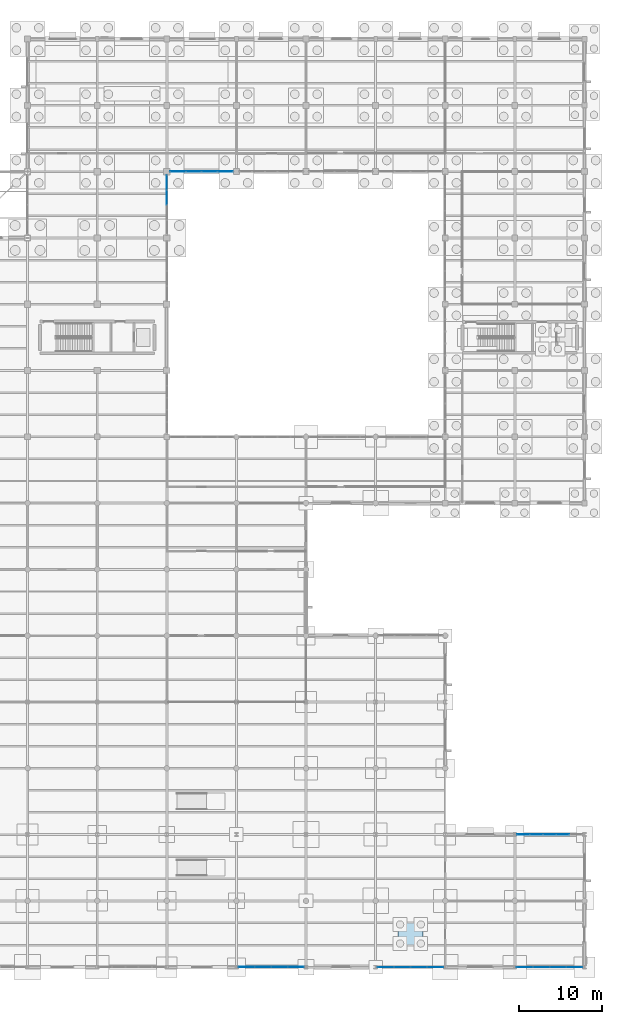
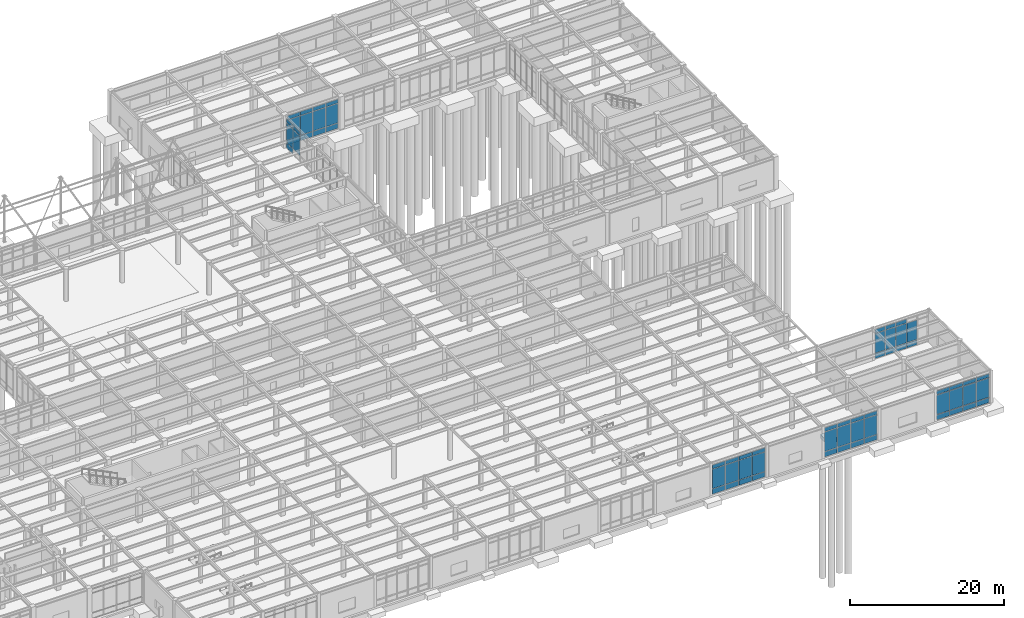
# One storey, part 71 of 138: 64 plates, 1 slab, 6 elements without a shape of their own.
"""IFC4 building model written with IfcOpenShell, lengths in metres."""

from ifc_helpers import new_model, si_unit, direction, frame, origin, origin_2d, place, context, subcontext, project, spatial, polyline, rectangle, outline, extrude, material, layer, layer_set, type_object, element, aggregate, save


model = new_model("IFC4")

# Units and contexts
model_context = context("Model", 3, precision=1e-05, world=origin(), true_north=direction((0.0, 1.0)))
body_context = subcontext(model_context, "Body", "Model", "MODEL_VIEW")
ifc_project = project(units=[si_unit("LENGTHUNIT", "METRE"), si_unit("AREAUNIT", "SQUARE_METRE"), si_unit("VOLUMEUNIT", "CUBIC_METRE"), si_unit("PLANEANGLEUNIT", "RADIAN"), si_unit("MASSUNIT", "GRAM", prefix="KILO")], contexts=[model_context])

# Site, building, storey
site_placement = place(None, origin())
site = spatial("IfcSite", under=ifc_project, at=site_placement, CompositionType="ELEMENT")
building_placement = place(site_placement, origin())
building = spatial("IfcBuilding", under=site, at=building_placement, Name="Kranzveld Transit Interchange", CompositionType="ELEMENT")
storey_placement = place(building_placement, origin())
storey = spatial("IfcBuildingStorey", under=building, at=storey_placement, Name="L00", CompositionType="ELEMENT", Elevation=0.0)

# Curtain wall, plates
ifc_material_1 = material(Name="Bronze-anodised thermally broken aluminium", Category="aluminium")
ifc_layer_1 = layer(ifc_material_1, 0.159912109375)
ifc_layer_set_1 = layer_set([ifc_layer_1], Name="Bronze-anodised thermally broken aluminium")
curtain_wall_type_1 = type_object("IfcCurtainWallType", Name="Bus Boarding Glazed Screen CW-3", PredefinedType="USERDEFINED", material=ifc_layer_set_1)
curtain_wall_1_placement = place(storey_placement, origin())
curtain_wall_1 = element("IfcCurtainWall", 1, at=curtain_wall_1_placement, inside=storey, type_object=curtain_wall_type_1, Name="L00 Curtain Wall 20/A-21/A", ObjectType="CURTAIN WALL", PredefinedType="USERDEFINED")
ifc_material_2 = material(Name="Solar-control double glazing", Category="glass")
ifc_layer_2 = layer(ifc_material_2, 0.031982421875)
ifc_layer_set_2 = layer_set([ifc_layer_2], Name="Solar-control double glazing")
plate_type_1 = type_object("IfcPlateType", Name="Curtain Panel Acoustic Glazing 32", PredefinedType="CURTAIN_PANEL", material=ifc_layer_set_2)
plate_1_placement = place(storey_placement, frame((160.814697265625, 0.0, 0.06005859375), z_axis=(0.0, 0.0, 1.0), x_axis=(1.0, 0.0, 0.0)))
plate_1 = element("IfcPlate", 2, at=plate_1_placement, type_object=plate_type_1, Name="CW-3 panel 1.1", PredefinedType="CURTAIN_PANEL", context=body_context, shape_type="SweptSolid", body=[
    extrude(rectangle(XDim=1.91015625, YDim=0.031982421875, at=origin_2d()), origin(), (0.0, 0.0, 1.0), 0.81005859375),
])
plate_2_placement = place(storey_placement, frame((160.814697265625, 0.0, 0.929931640625), z_axis=(0.0, 0.0, 1.0), x_axis=(1.0, 0.0, 0.0)))
plate_2 = element("IfcPlate", 3, at=plate_2_placement, type_object=plate_type_1, Name="CW-3 panel 1.2", PredefinedType="CURTAIN_PANEL", context=body_context, shape_type="SweptSolid", body=[
    extrude(rectangle(XDim=1.91015625, YDim=0.031982421875, at=origin_2d()), origin(), (0.0, 0.0, 1.0), 3.08056640625),
])
plate_3_placement = place(storey_placement, frame((160.814697265625, 0.0, 4.0703125), z_axis=(0.0, 0.0, 1.0), x_axis=(1.0, 0.0, 0.0)))
plate_3 = element("IfcPlate", 4, at=plate_3_placement, type_object=plate_type_1, Name="CW-3 panel 1.3", PredefinedType="CURTAIN_PANEL", context=body_context, shape_type="SweptSolid", body=[
    extrude(rectangle(XDim=1.91015625, YDim=0.031982421875, at=origin_2d()), origin(), (0.0, 0.0, 1.0), 0.610107421875),
])
plate_4_placement = place(storey_placement, frame((162.7998046875, 0.0, 0.06005859375), z_axis=(0.0, 0.0, 1.0), x_axis=(1.0, 0.0, 0.0)))
plate_4 = element("IfcPlate", 5, at=plate_4_placement, type_object=plate_type_1, Name="CW-3 panel 2.1", PredefinedType="CURTAIN_PANEL", context=body_context, shape_type="SweptSolid", body=[
    extrude(rectangle(XDim=1.940185546875, YDim=0.031982421875, at=origin_2d()), origin(), (0.0, 0.0, 1.0), 0.81005859375),
])
plate_5_placement = place(storey_placement, frame((162.7998046875, 0.0, 0.929931640625), z_axis=(0.0, 0.0, 1.0), x_axis=(1.0, 0.0, 0.0)))
plate_5 = element("IfcPlate", 6, at=plate_5_placement, type_object=plate_type_1, Name="CW-3 panel 2.2", PredefinedType="CURTAIN_PANEL", context=body_context, shape_type="SweptSolid", body=[
    extrude(rectangle(XDim=1.940185546875, YDim=0.031982421875, at=origin_2d()), origin(), (0.0, 0.0, 1.0), 3.08056640625),
])
plate_6_placement = place(storey_placement, frame((162.7998046875, 0.0, 4.0703125), z_axis=(0.0, 0.0, 1.0), x_axis=(1.0, 0.0, 0.0)))
plate_6 = element("IfcPlate", 7, at=plate_6_placement, type_object=plate_type_1, Name="CW-3 panel 2.3", PredefinedType="CURTAIN_PANEL", context=body_context, shape_type="SweptSolid", body=[
    extrude(rectangle(XDim=1.940185546875, YDim=0.031982421875, at=origin_2d()), origin(), (0.0, 0.0, 1.0), 0.610107421875),
])
plate_7_placement = place(storey_placement, frame((164.800048828125, 0.0, 0.06005859375), z_axis=(0.0, 0.0, 1.0), x_axis=(1.0, 0.0, 0.0)))
plate_7 = element("IfcPlate", 8, at=plate_7_placement, type_object=plate_type_1, Name="CW-3 panel 3.1", PredefinedType="CURTAIN_PANEL", context=body_context, shape_type="SweptSolid", body=[
    extrude(rectangle(XDim=1.940185546875, YDim=0.031982421875, at=origin_2d()), origin(), (0.0, 0.0, 1.0), 0.81005859375),
])
plate_8_placement = place(storey_placement, frame((164.800048828125, 0.0, 0.929931640625), z_axis=(0.0, 0.0, 1.0), x_axis=(1.0, 0.0, 0.0)))
plate_8 = element("IfcPlate", 9, at=plate_8_placement, type_object=plate_type_1, Name="CW-3 panel 3.2", PredefinedType="CURTAIN_PANEL", context=body_context, shape_type="SweptSolid", body=[
    extrude(rectangle(XDim=1.940185546875, YDim=0.031982421875, at=origin_2d()), origin(), (0.0, 0.0, 1.0), 3.08056640625),
])
plate_9_placement = place(storey_placement, frame((164.800048828125, 0.0, 4.0703125), z_axis=(0.0, 0.0, 1.0), x_axis=(1.0, 0.0, 0.0)))
plate_9 = element("IfcPlate", 10, at=plate_9_placement, type_object=plate_type_1, Name="CW-3 panel 3.3", PredefinedType="CURTAIN_PANEL", context=body_context, shape_type="SweptSolid", body=[
    extrude(rectangle(XDim=1.940185546875, YDim=0.031982421875, at=origin_2d()), origin(), (0.0, 0.0, 1.0), 0.610107421875),
])
plate_10_placement = place(storey_placement, frame((166.785400390625, 0.0, 0.06005859375), z_axis=(0.0, 0.0, 1.0), x_axis=(1.0, 0.0, 0.0)))
plate_10 = element("IfcPlate", 11, at=plate_10_placement, type_object=plate_type_1, Name="CW-3 panel 4.1", PredefinedType="CURTAIN_PANEL", context=body_context, shape_type="SweptSolid", body=[
    extrude(rectangle(XDim=1.91015625, YDim=0.031982421875, at=origin_2d()), origin(), (0.0, 0.0, 1.0), 0.81005859375),
])
plate_11_placement = place(storey_placement, frame((166.785400390625, 0.0, 0.929931640625), z_axis=(0.0, 0.0, 1.0), x_axis=(1.0, 0.0, 0.0)))
plate_11 = element("IfcPlate", 12, at=plate_11_placement, type_object=plate_type_1, Name="CW-3 panel 4.2", PredefinedType="CURTAIN_PANEL", context=body_context, shape_type="SweptSolid", body=[
    extrude(rectangle(XDim=1.91015625, YDim=0.031982421875, at=origin_2d()), origin(), (0.0, 0.0, 1.0), 3.08056640625),
])
plate_12_placement = place(storey_placement, frame((166.785400390625, 0.0, 4.0703125), z_axis=(0.0, 0.0, 1.0), x_axis=(1.0, 0.0, 0.0)))
plate_12 = element("IfcPlate", 13, at=plate_12_placement, type_object=plate_type_1, Name="CW-3 panel 4.3", PredefinedType="CURTAIN_PANEL", context=body_context, shape_type="SweptSolid", body=[
    extrude(rectangle(XDim=1.91015625, YDim=0.031982421875, at=origin_2d()), origin(), (0.0, 0.0, 1.0), 0.610107421875),
])
aggregate(curtain_wall_1, [plate_1, plate_2, plate_3, plate_4, plate_5, plate_6, plate_7, plate_8, plate_9, plate_10, plate_11, plate_12])

ifc_material_3 = material(Name="Bronze-anodised thermally broken aluminium", Category="aluminium")
ifc_layer_3 = layer(ifc_material_3, 0.1650390625)
ifc_layer_set_3 = layer_set([ifc_layer_3], Name="Bronze-anodised thermally broken aluminium")
curtain_wall_type_2 = type_object("IfcCurtainWallType", Name="Sunny Court Arcade Curtain Wall CW-2", PredefinedType="USERDEFINED", material=ifc_layer_set_3)
curtain_wall_2_placement = place(storey_placement, origin())
curtain_wall_2 = element("IfcCurtainWall", 14, at=curtain_wall_2_placement, inside=storey, type_object=curtain_wall_type_2, Name="L00 Curtain Wall 20/C-21/C", ObjectType="CURTAIN WALL", PredefinedType="USERDEFINED")
ifc_material_4 = material(Name="Solar-control double glazing", Category="glass")
ifc_layer_4 = layer(ifc_material_4, 0.02392578125)
ifc_layer_set_4 = layer_set([ifc_layer_4], Name="Solar-control double glazing")
plate_type_2 = type_object("IfcPlateType", Name="Curtain Panel Clear Glazing 24", PredefinedType="CURTAIN_PANEL", material=ifc_layer_set_4)
plate_13_placement = place(storey_placement, frame((160.615966796875, 16.0, 0.06005859375), z_axis=(0.0, 0.0, 1.0), x_axis=(1.0, 0.0, 0.0)))
plate_13 = element("IfcPlate", 15, at=plate_13_placement, type_object=plate_type_2, Name="CW-2 panel 1.1", PredefinedType="CURTAIN_PANEL", context=body_context, shape_type="SweptSolid", body=[
    extrude(rectangle(XDim=1.502685546875, YDim=0.02392578125, at=origin_2d()), origin(), (0.0, 0.0, 1.0), 0.81005859375),
])
plate_14_placement = place(storey_placement, frame((160.615966796875, 16.0, 0.929931640625), z_axis=(0.0, 0.0, 1.0), x_axis=(1.0, 0.0, 0.0)))
plate_14 = element("IfcPlate", 16, at=plate_14_placement, type_object=plate_type_2, Name="CW-2 panel 1.2", PredefinedType="CURTAIN_PANEL", context=body_context, shape_type="SweptSolid", body=[
    extrude(rectangle(XDim=1.502685546875, YDim=0.02392578125, at=origin_2d()), origin(), (0.0, 0.0, 1.0), 3.08056640625),
])
plate_15_placement = place(storey_placement, frame((160.615966796875, 16.0, 4.0703125), z_axis=(0.0, 0.0, 1.0), x_axis=(1.0, 0.0, 0.0)))
plate_15 = element("IfcPlate", 17, at=plate_15_placement, type_object=plate_type_2, Name="CW-2 panel 1.3", PredefinedType="CURTAIN_PANEL", context=body_context, shape_type="SweptSolid", body=[
    extrude(rectangle(XDim=1.502685546875, YDim=0.02392578125, at=origin_2d()), origin(), (0.0, 0.0, 1.0), 0.610107421875),
])
plate_16_placement = place(storey_placement, frame((162.19970703125, 16.0, 0.06005859375), z_axis=(0.0, 0.0, 1.0), x_axis=(1.0, 0.0, 0.0)))
plate_16 = element("IfcPlate", 18, at=plate_16_placement, type_object=plate_type_2, Name="CW-2 panel 2.1", PredefinedType="CURTAIN_PANEL", context=body_context, shape_type="SweptSolid", body=[
    extrude(rectangle(XDim=1.53515625, YDim=0.02392578125, at=origin_2d()), origin(), (0.0, 0.0, 1.0), 0.81005859375),
])
plate_17_placement = place(storey_placement, frame((162.19970703125, 16.0, 0.929931640625), z_axis=(0.0, 0.0, 1.0), x_axis=(1.0, 0.0, 0.0)))
plate_17 = element("IfcPlate", 19, at=plate_17_placement, type_object=plate_type_2, Name="CW-2 panel 2.2", PredefinedType="CURTAIN_PANEL", context=body_context, shape_type="SweptSolid", body=[
    extrude(rectangle(XDim=1.53515625, YDim=0.02392578125, at=origin_2d()), origin(), (0.0, 0.0, 1.0), 3.08056640625),
])
plate_18_placement = place(storey_placement, frame((162.19970703125, 16.0, 4.0703125), z_axis=(0.0, 0.0, 1.0), x_axis=(1.0, 0.0, 0.0)))
plate_18 = element("IfcPlate", 20, at=plate_18_placement, type_object=plate_type_2, Name="CW-2 panel 2.3", PredefinedType="CURTAIN_PANEL", context=body_context, shape_type="SweptSolid", body=[
    extrude(rectangle(XDim=1.53515625, YDim=0.02392578125, at=origin_2d()), origin(), (0.0, 0.0, 1.0), 0.610107421875),
])
plate_19_placement = place(storey_placement, frame((163.800048828125, 16.0, 0.06005859375), z_axis=(0.0, 0.0, 1.0), x_axis=(1.0, 0.0, 0.0)))
plate_19 = element("IfcPlate", 21, at=plate_19_placement, type_object=plate_type_2, Name="CW-2 panel 3.1", PredefinedType="CURTAIN_PANEL", context=body_context, shape_type="SweptSolid", body=[
    extrude(rectangle(XDim=1.53515625, YDim=0.02392578125, at=origin_2d()), origin(), (0.0, 0.0, 1.0), 0.81005859375),
])
plate_20_placement = place(storey_placement, frame((163.800048828125, 16.0, 0.929931640625), z_axis=(0.0, 0.0, 1.0), x_axis=(1.0, 0.0, 0.0)))
plate_20 = element("IfcPlate", 22, at=plate_20_placement, type_object=plate_type_2, Name="CW-2 panel 3.2", PredefinedType="CURTAIN_PANEL", context=body_context, shape_type="SweptSolid", body=[
    extrude(rectangle(XDim=1.53515625, YDim=0.02392578125, at=origin_2d()), origin(), (0.0, 0.0, 1.0), 3.08056640625),
])
plate_21_placement = place(storey_placement, frame((163.800048828125, 16.0, 4.0703125), z_axis=(0.0, 0.0, 1.0), x_axis=(1.0, 0.0, 0.0)))
plate_21 = element("IfcPlate", 23, at=plate_21_placement, type_object=plate_type_2, Name="CW-2 panel 3.3", PredefinedType="CURTAIN_PANEL", context=body_context, shape_type="SweptSolid", body=[
    extrude(rectangle(XDim=1.53515625, YDim=0.02392578125, at=origin_2d()), origin(), (0.0, 0.0, 1.0), 0.610107421875),
])
plate_22_placement = place(storey_placement, frame((165.400146484375, 16.0, 0.06005859375), z_axis=(0.0, 0.0, 1.0), x_axis=(1.0, 0.0, 0.0)))
plate_22 = element("IfcPlate", 24, at=plate_22_placement, type_object=plate_type_2, Name="CW-2 panel 4.1", PredefinedType="CURTAIN_PANEL", context=body_context, shape_type="SweptSolid", body=[
    extrude(rectangle(XDim=1.53515625, YDim=0.02392578125, at=origin_2d()), origin(), (0.0, 0.0, 1.0), 0.81005859375),
])
plate_23_placement = place(storey_placement, frame((165.400146484375, 16.0, 0.929931640625), z_axis=(0.0, 0.0, 1.0), x_axis=(1.0, 0.0, 0.0)))
plate_23 = element("IfcPlate", 25, at=plate_23_placement, type_object=plate_type_2, Name="CW-2 panel 4.2", PredefinedType="CURTAIN_PANEL", context=body_context, shape_type="SweptSolid", body=[
    extrude(rectangle(XDim=1.53515625, YDim=0.02392578125, at=origin_2d()), origin(), (0.0, 0.0, 1.0), 3.08056640625),
])
aggregate(curtain_wall_2, [plate_13, plate_14, plate_15, plate_16, plate_17, plate_18, plate_19, plate_20, plate_21, plate_22, plate_23])

ifc_material_5 = material(Name="Bronze-anodised thermally broken aluminium", Category="aluminium")
ifc_layer_5 = layer(ifc_material_5, 0.179931640625)
ifc_layer_set_5 = layer_set([ifc_layer_5], Name="Bronze-anodised thermally broken aluminium")
curtain_wall_type_3 = type_object("IfcCurtainWallType", Name="Concourse Unitised Curtain Wall CW-1", PredefinedType="USERDEFINED", material=ifc_layer_set_5)
curtain_wall_3_placement = place(storey_placement, origin())
curtain_wall_3 = element("IfcCurtainWall", 26, at=curtain_wall_3_placement, inside=storey, type_object=curtain_wall_type_3, Name="L00 Curtain Wall 18/A-19/A", ObjectType="CURTAIN WALL", PredefinedType="USERDEFINED")
ifc_material_6 = material(Name="Solar-control double glazing", Category="glass")
ifc_layer_6 = layer(ifc_material_6, 0.028076171875)
ifc_layer_set_6 = layer_set([ifc_layer_6], Name="Solar-control double glazing")
plate_type_3 = type_object("IfcPlateType", Name="Curtain Panel Double Glazing 28", PredefinedType="CURTAIN_PANEL", material=ifc_layer_set_6)
plate_24_placement = place(storey_placement, frame((144.015869140625, 0.0, 0.06494140625), z_axis=(0.0, 0.0, 1.0), x_axis=(1.0, 0.0, 0.0)))
plate_24 = element("IfcPlate", 27, at=plate_24_placement, type_object=plate_type_3, Name="CW-1 panel 1.1", PredefinedType="CURTAIN_PANEL", context=body_context, shape_type="SweptSolid", body=[
    extrude(rectangle(XDim=1.90283203125, YDim=0.028076171875, at=origin_2d()), origin(), (0.0, 0.0, 1.0), 0.802490234375),
])
plate_25_placement = place(storey_placement, frame((144.015869140625, 0.0, 0.932373046875), z_axis=(0.0, 0.0, 1.0), x_axis=(1.0, 0.0, 0.0)))
plate_25 = element("IfcPlate", 28, at=plate_25_placement, type_object=plate_type_3, Name="CW-1 panel 1.2", PredefinedType="CURTAIN_PANEL", context=body_context, shape_type="SweptSolid", body=[
    extrude(rectangle(XDim=1.90283203125, YDim=0.028076171875, at=origin_2d()), origin(), (0.0, 0.0, 1.0), 3.07568359375),
])
plate_26_placement = place(storey_placement, frame((144.015869140625, 0.0, 4.072998046875), z_axis=(0.0, 0.0, 1.0), x_axis=(1.0, 0.0, 0.0)))
plate_26 = element("IfcPlate", 29, at=plate_26_placement, type_object=plate_type_3, Name="CW-1 panel 1.3", PredefinedType="CURTAIN_PANEL", context=body_context, shape_type="SweptSolid", body=[
    extrude(rectangle(XDim=1.90283203125, YDim=0.028076171875, at=origin_2d()), origin(), (0.0, 0.0, 1.0), 0.6025390625),
])
plate_27_placement = place(storey_placement, frame((145.999755859375, 0.0, 0.06494140625), z_axis=(0.0, 0.0, 1.0), x_axis=(1.0, 0.0, 0.0)))
plate_27 = element("IfcPlate", 30, at=plate_27_placement, type_object=plate_type_3, Name="CW-1 panel 2.1", PredefinedType="CURTAIN_PANEL", context=body_context, shape_type="SweptSolid", body=[
    extrude(rectangle(XDim=1.935302734375, YDim=0.028076171875, at=origin_2d()), origin(), (0.0, 0.0, 1.0), 0.802490234375),
])
plate_28_placement = place(storey_placement, frame((145.999755859375, 0.0, 0.932373046875), z_axis=(0.0, 0.0, 1.0), x_axis=(1.0, 0.0, 0.0)))
plate_28 = element("IfcPlate", 31, at=plate_28_placement, type_object=plate_type_3, Name="CW-1 panel 2.2", PredefinedType="CURTAIN_PANEL", context=body_context, shape_type="SweptSolid", body=[
    extrude(rectangle(XDim=1.935302734375, YDim=0.028076171875, at=origin_2d()), origin(), (0.0, 0.0, 1.0), 3.07568359375),
])
plate_29_placement = place(storey_placement, frame((145.999755859375, 0.0, 4.072998046875), z_axis=(0.0, 0.0, 1.0), x_axis=(1.0, 0.0, 0.0)))
plate_29 = element("IfcPlate", 32, at=plate_29_placement, type_object=plate_type_3, Name="CW-1 panel 2.3", PredefinedType="CURTAIN_PANEL", context=body_context, shape_type="SweptSolid", body=[
    extrude(rectangle(XDim=1.935302734375, YDim=0.028076171875, at=origin_2d()), origin(), (0.0, 0.0, 1.0), 0.6025390625),
])
plate_30_placement = place(storey_placement, frame((148.000244140625, 0.0, 0.06494140625), z_axis=(0.0, 0.0, 1.0), x_axis=(1.0, 0.0, 0.0)))
plate_30 = element("IfcPlate", 33, at=plate_30_placement, type_object=plate_type_3, Name="CW-1 panel 3.1", PredefinedType="CURTAIN_PANEL", context=body_context, shape_type="SweptSolid", body=[
    extrude(rectangle(XDim=1.935302734375, YDim=0.028076171875, at=origin_2d()), origin(), (0.0, 0.0, 1.0), 0.802490234375),
])
plate_31_placement = place(storey_placement, frame((148.000244140625, 0.0, 0.932373046875), z_axis=(0.0, 0.0, 1.0), x_axis=(1.0, 0.0, 0.0)))
plate_31 = element("IfcPlate", 34, at=plate_31_placement, type_object=plate_type_3, Name="CW-1 panel 3.2", PredefinedType="CURTAIN_PANEL", context=body_context, shape_type="SweptSolid", body=[
    extrude(rectangle(XDim=1.935302734375, YDim=0.028076171875, at=origin_2d()), origin(), (0.0, 0.0, 1.0), 3.07568359375),
])
plate_32_placement = place(storey_placement, frame((148.000244140625, 0.0, 4.072998046875), z_axis=(0.0, 0.0, 1.0), x_axis=(1.0, 0.0, 0.0)))
plate_32 = element("IfcPlate", 35, at=plate_32_placement, type_object=plate_type_3, Name="CW-1 panel 3.3", PredefinedType="CURTAIN_PANEL", context=body_context, shape_type="SweptSolid", body=[
    extrude(rectangle(XDim=1.935302734375, YDim=0.028076171875, at=origin_2d()), origin(), (0.0, 0.0, 1.0), 0.6025390625),
])
plate_33_placement = place(storey_placement, frame((149.984130859375, 0.0, 0.06494140625), z_axis=(0.0, 0.0, 1.0), x_axis=(1.0, 0.0, 0.0)))
plate_33 = element("IfcPlate", 36, at=plate_33_placement, type_object=plate_type_3, Name="CW-1 panel 4.1", PredefinedType="CURTAIN_PANEL", context=body_context, shape_type="SweptSolid", body=[
    extrude(rectangle(XDim=1.90283203125, YDim=0.028076171875, at=origin_2d()), origin(), (0.0, 0.0, 1.0), 0.802490234375),
])
plate_34_placement = place(storey_placement, frame((149.984130859375, 0.0, 0.932373046875), z_axis=(0.0, 0.0, 1.0), x_axis=(1.0, 0.0, 0.0)))
plate_34 = element("IfcPlate", 37, at=plate_34_placement, type_object=plate_type_3, Name="CW-1 panel 4.2", PredefinedType="CURTAIN_PANEL", context=body_context, shape_type="SweptSolid", body=[
    extrude(rectangle(XDim=1.90283203125, YDim=0.028076171875, at=origin_2d()), origin(), (0.0, 0.0, 1.0), 3.07568359375),
])
plate_35_placement = place(storey_placement, frame((149.984130859375, 0.0, 4.072998046875), z_axis=(0.0, 0.0, 1.0), x_axis=(1.0, 0.0, 0.0)))
plate_35 = element("IfcPlate", 38, at=plate_35_placement, type_object=plate_type_3, Name="CW-1 panel 4.3", PredefinedType="CURTAIN_PANEL", context=body_context, shape_type="SweptSolid", body=[
    extrude(rectangle(XDim=1.90283203125, YDim=0.028076171875, at=origin_2d()), origin(), (0.0, 0.0, 1.0), 0.6025390625),
])
aggregate(curtain_wall_3, [plate_24, plate_25, plate_26, plate_27, plate_28, plate_29, plate_30, plate_31, plate_32, plate_33, plate_34, plate_35])

curtain_wall_4_placement = place(storey_placement, origin())
curtain_wall_4 = element("IfcCurtainWall", 39, at=curtain_wall_4_placement, inside=storey, type_object=curtain_wall_type_3, Name="L00 Curtain Wall 15/M-15/N", ObjectType="CURTAIN WALL", PredefinedType="USERDEFINED")
plate_36_placement = place(storey_placement, frame((117.60009765625, 92.90625, 0.932373046875), z_axis=(0.0, 0.0, 1.0), x_axis=(0.0, 1.0, 0.0)))
plate_36 = element("IfcPlate", 40, at=plate_36_placement, type_object=plate_type_3, Name="CW-1 panel 3.2", PredefinedType="CURTAIN_PANEL", context=body_context, shape_type="SweptSolid", body=[
    extrude(rectangle(XDim=1.74755859375, YDim=0.028076171875, at=origin_2d()), origin(), (0.0, 0.0, 1.0), 3.08251953125),
])
plate_37_placement = place(storey_placement, frame((117.60009765625, 92.90625, 4.079833984375), z_axis=(0.0, 0.0, 1.0), x_axis=(0.0, 1.0, 0.0)))
plate_37 = element("IfcPlate", 41, at=plate_37_placement, type_object=plate_type_3, Name="CW-1 panel 3.3", PredefinedType="CURTAIN_PANEL", context=body_context, shape_type="SweptSolid", body=[
    extrude(rectangle(XDim=1.74755859375, YDim=0.028076171875, at=origin_2d()), origin(), (0.0, 0.0, 1.0), 0.6025390625),
])
plate_38_placement = place(storey_placement, frame((117.60009765625, 94.702392578125, 0.06494140625), z_axis=(0.0, 0.0, 1.0), x_axis=(0.0, 1.0, 0.0)))
plate_38 = element("IfcPlate", 42, at=plate_38_placement, type_object=plate_type_3, Name="CW-1 panel 4.1", PredefinedType="CURTAIN_PANEL", context=body_context, shape_type="SweptSolid", body=[
    extrude(rectangle(XDim=1.715087890625, YDim=0.028076171875, at=origin_2d()), origin(), (0.0, 0.0, 1.0), 0.802490234375),
])
plate_39_placement = place(storey_placement, frame((117.60009765625, 94.702392578125, 0.932373046875), z_axis=(0.0, 0.0, 1.0), x_axis=(0.0, 1.0, 0.0)))
plate_39 = element("IfcPlate", 43, at=plate_39_placement, type_object=plate_type_3, Name="CW-1 panel 4.2", PredefinedType="CURTAIN_PANEL", context=body_context, shape_type="SweptSolid", body=[
    extrude(rectangle(XDim=1.715087890625, YDim=0.028076171875, at=origin_2d()), origin(), (0.0, 0.0, 1.0), 3.08251953125),
])
plate_40_placement = place(storey_placement, frame((117.60009765625, 94.702392578125, 4.079833984375), z_axis=(0.0, 0.0, 1.0), x_axis=(0.0, 1.0, 0.0)))
plate_40 = element("IfcPlate", 44, at=plate_40_placement, type_object=plate_type_3, Name="CW-1 panel 4.3", PredefinedType="CURTAIN_PANEL", context=body_context, shape_type="SweptSolid", body=[
    extrude(rectangle(XDim=1.715087890625, YDim=0.028076171875, at=origin_2d()), origin(), (0.0, 0.0, 1.0), 0.6025390625),
])
aggregate(curtain_wall_4, [plate_36, plate_37, plate_38, plate_39, plate_40])

ifc_material_7 = material(Name="Bronze-anodised thermally broken aluminium", Category="aluminium")
ifc_layer_7 = layer(ifc_material_7, 0.18505859375)
ifc_layer_set_7 = layer_set([ifc_layer_7], Name="Bronze-anodised thermally broken aluminium")
curtain_wall_type_4 = type_object("IfcCurtainWallType", Name="Control Crown Observation Facade CW-5", PredefinedType="USERDEFINED", material=ifc_layer_set_7)
curtain_wall_5_placement = place(storey_placement, origin())
curtain_wall_5 = element("IfcCurtainWall", 45, at=curtain_wall_5_placement, inside=storey, type_object=curtain_wall_type_4, Name="L00 Curtain Wall 15/N-16/N", ObjectType="CURTAIN WALL", PredefinedType="USERDEFINED")
ifc_material_8 = material(Name="Solar-control double glazing", Category="glass")
ifc_layer_8 = layer(ifc_material_8, 0.035888671875)
ifc_layer_set_8 = layer_set([ifc_layer_8], Name="Solar-control double glazing")
plate_type_4 = type_object("IfcPlateType", Name="Curtain Panel Triple Glazing 36", PredefinedType="CURTAIN_PANEL", material=ifc_layer_set_8)
plate_41_placement = place(storey_placement, frame((118.95068359375, 96.0, 0.06494140625), z_axis=(0.0, 0.0, 1.0), x_axis=(1.0, 0.0, 0.0)))
plate_41 = element("IfcPlate", 46, at=plate_41_placement, type_object=plate_type_4, Name="CW-5 panel 1.1", PredefinedType="CURTAIN_PANEL", context=body_context, shape_type="SweptSolid", body=[
    extrude(rectangle(XDim=1.8212890625, YDim=0.035888671875, at=origin_2d()), origin(), (0.0, 0.0, 1.0), 0.802490234375),
])
plate_42_placement = place(storey_placement, frame((118.95068359375, 96.0, 0.932373046875), z_axis=(0.0, 0.0, 1.0), x_axis=(1.0, 0.0, 0.0)))
plate_42 = element("IfcPlate", 47, at=plate_42_placement, type_object=plate_type_4, Name="CW-5 panel 1.2", PredefinedType="CURTAIN_PANEL", context=body_context, shape_type="SweptSolid", body=[
    extrude(rectangle(XDim=1.8212890625, YDim=0.035888671875, at=origin_2d()), origin(), (0.0, 0.0, 1.0), 3.07568359375),
])
plate_43_placement = place(storey_placement, frame((118.95068359375, 96.0, 4.072998046875), z_axis=(0.0, 0.0, 1.0), x_axis=(1.0, 0.0, 0.0)))
plate_43 = element("IfcPlate", 48, at=plate_43_placement, type_object=plate_type_4, Name="CW-5 panel 1.3", PredefinedType="CURTAIN_PANEL", context=body_context, shape_type="SweptSolid", body=[
    extrude(rectangle(XDim=1.8212890625, YDim=0.035888671875, at=origin_2d()), origin(), (0.0, 0.0, 1.0), 0.6025390625),
])
plate_44_placement = place(storey_placement, frame((120.85302734375, 96.0, 0.06494140625), z_axis=(0.0, 0.0, 1.0), x_axis=(1.0, 0.0, 0.0)))
plate_44 = element("IfcPlate", 49, at=plate_44_placement, type_object=plate_type_4, Name="CW-5 panel 2.1", PredefinedType="CURTAIN_PANEL", context=body_context, shape_type="SweptSolid", body=[
    extrude(rectangle(XDim=1.853759765625, YDim=0.035888671875, at=origin_2d()), origin(), (0.0, 0.0, 1.0), 0.802490234375),
])
plate_45_placement = place(storey_placement, frame((120.85302734375, 96.0, 0.932373046875), z_axis=(0.0, 0.0, 1.0), x_axis=(1.0, 0.0, 0.0)))
plate_45 = element("IfcPlate", 50, at=plate_45_placement, type_object=plate_type_4, Name="CW-5 panel 2.2", PredefinedType="CURTAIN_PANEL", context=body_context, shape_type="SweptSolid", body=[
    extrude(rectangle(XDim=1.853759765625, YDim=0.035888671875, at=origin_2d()), origin(), (0.0, 0.0, 1.0), 3.07568359375),
])
plate_46_placement = place(storey_placement, frame((120.85302734375, 96.0, 4.072998046875), z_axis=(0.0, 0.0, 1.0), x_axis=(1.0, 0.0, 0.0)))
plate_46 = element("IfcPlate", 51, at=plate_46_placement, type_object=plate_type_4, Name="CW-5 panel 2.3", PredefinedType="CURTAIN_PANEL", context=body_context, shape_type="SweptSolid", body=[
    extrude(rectangle(XDim=1.853759765625, YDim=0.035888671875, at=origin_2d()), origin(), (0.0, 0.0, 1.0), 0.6025390625),
])
plate_47_placement = place(storey_placement, frame((122.77197265625, 96.0, 0.06494140625), z_axis=(0.0, 0.0, 1.0), x_axis=(1.0, 0.0, 0.0)))
plate_47 = element("IfcPlate", 52, at=plate_47_placement, type_object=plate_type_4, Name="CW-5 panel 3.1", PredefinedType="CURTAIN_PANEL", context=body_context, shape_type="SweptSolid", body=[
    extrude(rectangle(XDim=1.853759765625, YDim=0.035888671875, at=origin_2d()), origin(), (0.0, 0.0, 1.0), 0.802490234375),
])
plate_48_placement = place(storey_placement, frame((122.77197265625, 96.0, 0.932373046875), z_axis=(0.0, 0.0, 1.0), x_axis=(1.0, 0.0, 0.0)))
plate_48 = element("IfcPlate", 53, at=plate_48_placement, type_object=plate_type_4, Name="CW-5 panel 3.2", PredefinedType="CURTAIN_PANEL", context=body_context, shape_type="SweptSolid", body=[
    extrude(rectangle(XDim=1.853759765625, YDim=0.035888671875, at=origin_2d()), origin(), (0.0, 0.0, 1.0), 3.07568359375),
])
plate_49_placement = place(storey_placement, frame((122.77197265625, 96.0, 4.072998046875), z_axis=(0.0, 0.0, 1.0), x_axis=(1.0, 0.0, 0.0)))
plate_49 = element("IfcPlate", 54, at=plate_49_placement, type_object=plate_type_4, Name="CW-5 panel 3.3", PredefinedType="CURTAIN_PANEL", context=body_context, shape_type="SweptSolid", body=[
    extrude(rectangle(XDim=1.853759765625, YDim=0.035888671875, at=origin_2d()), origin(), (0.0, 0.0, 1.0), 0.6025390625),
])
plate_50_placement = place(storey_placement, frame((124.67431640625, 96.0, 0.06494140625), z_axis=(0.0, 0.0, 1.0), x_axis=(1.0, 0.0, 0.0)))
plate_50 = element("IfcPlate", 55, at=plate_50_placement, type_object=plate_type_4, Name="CW-5 panel 4.1", PredefinedType="CURTAIN_PANEL", context=body_context, shape_type="SweptSolid", body=[
    extrude(rectangle(XDim=1.8212890625, YDim=0.035888671875, at=origin_2d()), origin(), (0.0, 0.0, 1.0), 0.802490234375),
])
plate_51_placement = place(storey_placement, frame((124.67431640625, 96.0, 0.932373046875), z_axis=(0.0, 0.0, 1.0), x_axis=(1.0, 0.0, 0.0)))
plate_51 = element("IfcPlate", 56, at=plate_51_placement, type_object=plate_type_4, Name="CW-5 panel 4.2", PredefinedType="CURTAIN_PANEL", context=body_context, shape_type="SweptSolid", body=[
    extrude(rectangle(XDim=1.8212890625, YDim=0.035888671875, at=origin_2d()), origin(), (0.0, 0.0, 1.0), 3.07568359375),
])
plate_52_placement = place(storey_placement, frame((124.67431640625, 96.0, 4.072998046875), z_axis=(0.0, 0.0, 1.0), x_axis=(1.0, 0.0, 0.0)))
plate_52 = element("IfcPlate", 57, at=plate_52_placement, type_object=plate_type_4, Name="CW-5 panel 4.3", PredefinedType="CURTAIN_PANEL", context=body_context, shape_type="SweptSolid", body=[
    extrude(rectangle(XDim=1.8212890625, YDim=0.035888671875, at=origin_2d()), origin(), (0.0, 0.0, 1.0), 0.6025390625),
])
aggregate(curtain_wall_5, [plate_41, plate_42, plate_43, plate_44, plate_45, plate_46, plate_47, plate_48, plate_49, plate_50, plate_51, plate_52])

curtain_wall_6_placement = place(storey_placement, origin())
curtain_wall_6 = element("IfcCurtainWall", 58, at=curtain_wall_6_placement, inside=storey, type_object=curtain_wall_type_1, Name="L00 Curtain Wall 16/A-17/A", ObjectType="CURTAIN WALL", PredefinedType="USERDEFINED")
ifc_material_9 = material(Name="Bronze-anodised thermally broken aluminium", Category="aluminium")
ifc_layer_9 = layer(ifc_material_9, 0.053955078125)
ifc_layer_set_9 = layer_set([ifc_layer_9], Name="Bronze-anodised thermally broken aluminium")
plate_type_5 = type_object("IfcPlateType", Name="Curtain Spandrel Insulated Alu 54", PredefinedType="CURTAIN_PANEL", material=ifc_layer_set_9)
plate_53_placement = place(storey_placement, frame((127.214599609375, 0.0, 0.06494140625), z_axis=(0.0, 0.0, 1.0), x_axis=(1.0, 0.0, 0.0)))
plate_53 = element("IfcPlate", 59, at=plate_53_placement, type_object=plate_type_5, Name="CW-3 panel 1.1", PredefinedType="CURTAIN_PANEL", context=body_context, shape_type="SweptSolid", body=[
    extrude(rectangle(XDim=1.91015625, YDim=0.053955078125, at=origin_2d()), origin(), (0.0, 0.0, 1.0), 0.802490234375),
])
plate_54_placement = place(storey_placement, frame((127.214599609375, 0.0, 0.932373046875), z_axis=(0.0, 0.0, 1.0), x_axis=(1.0, 0.0, 0.0)))
plate_54 = element("IfcPlate", 60, at=plate_54_placement, type_object=plate_type_5, Name="CW-3 panel 1.2", PredefinedType="CURTAIN_PANEL", context=body_context, shape_type="SweptSolid", body=[
    extrude(rectangle(XDim=1.91015625, YDim=0.053955078125, at=origin_2d()), origin(), (0.0, 0.0, 1.0), 3.07568359375),
])
plate_55_placement = place(storey_placement, frame((127.214599609375, 0.0, 4.072998046875), z_axis=(0.0, 0.0, 1.0), x_axis=(1.0, 0.0, 0.0)))
plate_55 = element("IfcPlate", 61, at=plate_55_placement, type_object=plate_type_5, Name="CW-3 panel 1.3", PredefinedType="CURTAIN_PANEL", context=body_context, shape_type="SweptSolid", body=[
    extrude(rectangle(XDim=1.91015625, YDim=0.053955078125, at=origin_2d()), origin(), (0.0, 0.0, 1.0), 0.6025390625),
])
plate_56_placement = place(storey_placement, frame((129.199951171875, 0.0, 0.06494140625), z_axis=(0.0, 0.0, 1.0), x_axis=(1.0, 0.0, 0.0)))
plate_56 = element("IfcPlate", 62, at=plate_56_placement, type_object=plate_type_5, Name="CW-3 panel 2.1", PredefinedType="CURTAIN_PANEL", context=body_context, shape_type="SweptSolid", body=[
    extrude(rectangle(XDim=1.940185546875, YDim=0.053955078125, at=origin_2d()), origin(), (0.0, 0.0, 1.0), 0.802490234375),
])
plate_57_placement = place(storey_placement, frame((129.199951171875, 0.0, 0.932373046875), z_axis=(0.0, 0.0, 1.0), x_axis=(1.0, 0.0, 0.0)))
plate_57 = element("IfcPlate", 63, at=plate_57_placement, type_object=plate_type_5, Name="CW-3 panel 2.2", PredefinedType="CURTAIN_PANEL", context=body_context, shape_type="SweptSolid", body=[
    extrude(rectangle(XDim=1.940185546875, YDim=0.053955078125, at=origin_2d()), origin(), (0.0, 0.0, 1.0), 3.07568359375),
])
plate_58_placement = place(storey_placement, frame((129.199951171875, 0.0, 4.072998046875), z_axis=(0.0, 0.0, 1.0), x_axis=(1.0, 0.0, 0.0)))
plate_58 = element("IfcPlate", 64, at=plate_58_placement, type_object=plate_type_5, Name="CW-3 panel 2.3", PredefinedType="CURTAIN_PANEL", context=body_context, shape_type="SweptSolid", body=[
    extrude(rectangle(XDim=1.940185546875, YDim=0.053955078125, at=origin_2d()), origin(), (0.0, 0.0, 1.0), 0.6025390625),
])
plate_59_placement = place(storey_placement, frame((131.2001953125, 0.0, 0.06494140625), z_axis=(0.0, 0.0, 1.0), x_axis=(1.0, 0.0, 0.0)))
plate_59 = element("IfcPlate", 65, at=plate_59_placement, type_object=plate_type_5, Name="CW-3 panel 3.1", PredefinedType="CURTAIN_PANEL", context=body_context, shape_type="SweptSolid", body=[
    extrude(rectangle(XDim=1.940185546875, YDim=0.053955078125, at=origin_2d()), origin(), (0.0, 0.0, 1.0), 0.802490234375),
])
plate_60_placement = place(storey_placement, frame((131.2001953125, 0.0, 0.932373046875), z_axis=(0.0, 0.0, 1.0), x_axis=(1.0, 0.0, 0.0)))
plate_60 = element("IfcPlate", 66, at=plate_60_placement, type_object=plate_type_5, Name="CW-3 panel 3.2", PredefinedType="CURTAIN_PANEL", context=body_context, shape_type="SweptSolid", body=[
    extrude(rectangle(XDim=1.940185546875, YDim=0.053955078125, at=origin_2d()), origin(), (0.0, 0.0, 1.0), 3.07568359375),
])
plate_61_placement = place(storey_placement, frame((131.2001953125, 0.0, 4.072998046875), z_axis=(0.0, 0.0, 1.0), x_axis=(1.0, 0.0, 0.0)))
plate_61 = element("IfcPlate", 67, at=plate_61_placement, type_object=plate_type_5, Name="CW-3 panel 3.3", PredefinedType="CURTAIN_PANEL", context=body_context, shape_type="SweptSolid", body=[
    extrude(rectangle(XDim=1.940185546875, YDim=0.053955078125, at=origin_2d()), origin(), (0.0, 0.0, 1.0), 0.6025390625),
])
plate_62_placement = place(storey_placement, frame((133.185302734375, 0.0, 0.06494140625), z_axis=(0.0, 0.0, 1.0), x_axis=(1.0, 0.0, 0.0)))
plate_62 = element("IfcPlate", 68, at=plate_62_placement, type_object=plate_type_5, Name="CW-3 panel 4.1", PredefinedType="CURTAIN_PANEL", context=body_context, shape_type="SweptSolid", body=[
    extrude(rectangle(XDim=1.91015625, YDim=0.053955078125, at=origin_2d()), origin(), (0.0, 0.0, 1.0), 0.802490234375),
])
plate_63_placement = place(storey_placement, frame((133.185302734375, 0.0, 0.932373046875), z_axis=(0.0, 0.0, 1.0), x_axis=(1.0, 0.0, 0.0)))
plate_63 = element("IfcPlate", 69, at=plate_63_placement, type_object=plate_type_5, Name="CW-3 panel 4.2", PredefinedType="CURTAIN_PANEL", context=body_context, shape_type="SweptSolid", body=[
    extrude(rectangle(XDim=1.91015625, YDim=0.053955078125, at=origin_2d()), origin(), (0.0, 0.0, 1.0), 3.07568359375),
])
plate_64_placement = place(storey_placement, frame((133.185302734375, 0.0, 4.072998046875), z_axis=(0.0, 0.0, 1.0), x_axis=(1.0, 0.0, 0.0)))
plate_64 = element("IfcPlate", 70, at=plate_64_placement, type_object=plate_type_5, Name="CW-3 panel 4.3", PredefinedType="CURTAIN_PANEL", context=body_context, shape_type="SweptSolid", body=[
    extrude(rectangle(XDim=1.91015625, YDim=0.053955078125, at=origin_2d()), origin(), (0.0, 0.0, 1.0), 0.6025390625),
])
aggregate(curtain_wall_6, [plate_53, plate_54, plate_55, plate_56, plate_57, plate_58, plate_59, plate_60, plate_61, plate_62, plate_63, plate_64])

# Slab
ifc_material_10 = material(Name="Concrete C40/50", Category="concrete")
ifc_layer_10 = layer(ifc_material_10, 0.60009765625)
ifc_layer_set_10 = layer_set([ifc_layer_10], Name="Concrete C40/50")
slab_type = type_object("IfcSlabType", Name="Lift Pit Base Slab 600 C40/50", PredefinedType="BASESLAB", material=ifc_layer_set_10)
slab_placement = place(storey_placement, frame((0.0, 0.0, -1.02001953125)))
element("IfcSlab", 71, at=slab_placement, inside=storey, type_object=slab_type, Name="L00 Pit Base Slab PIT-S2", PredefinedType="BASESLAB", context=body_context, shape_type="SweptSolid", body=[
    extrude(outline(polyline([(145.5, 2.699951171875), (148.5, 2.699951171875), (148.5, 5.300048828125), (145.5, 5.300048828125), (145.5, 2.699951171875)])), origin(), (0.0, 0.0, 1.0), 0.60009765625),
])

save(model, "model.ifc")
